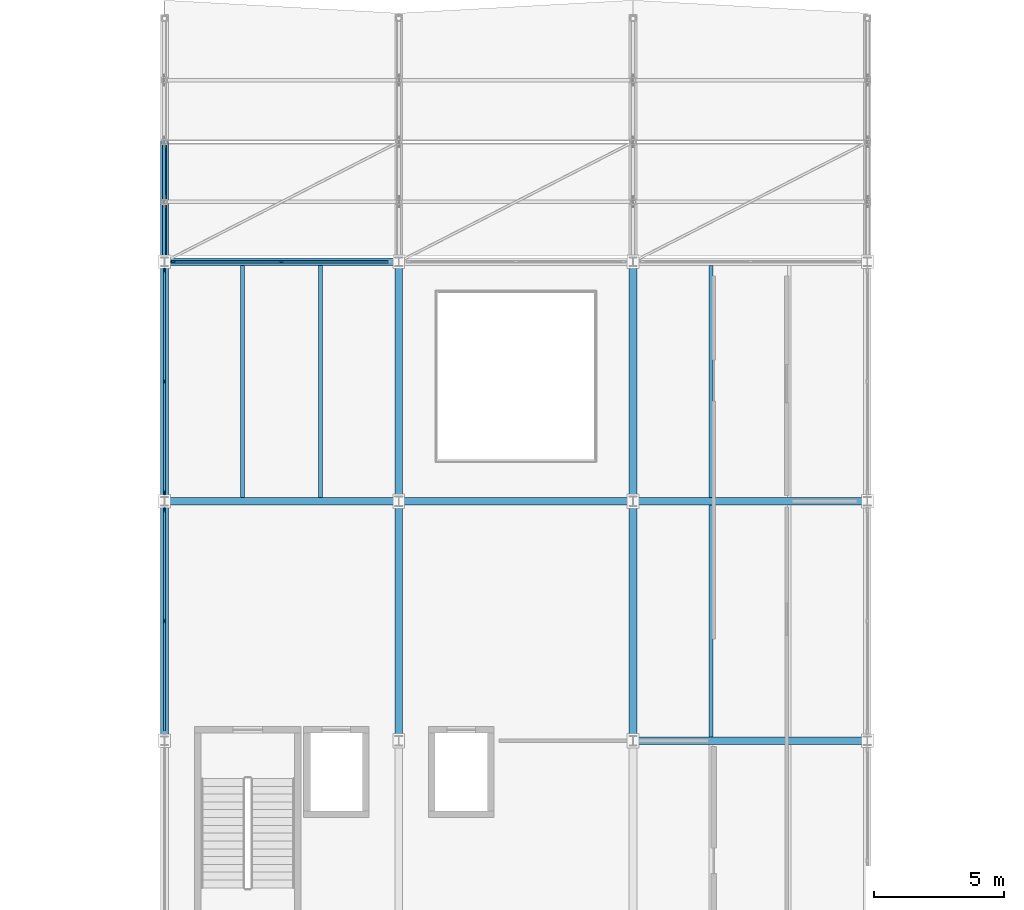
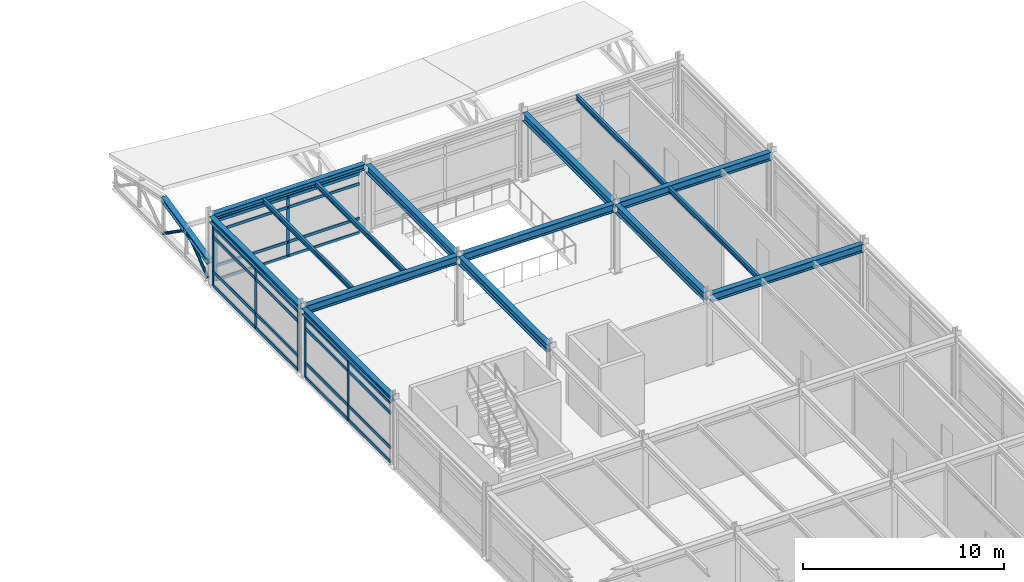
# One storey, part 19 of 55: 34 members, 15 beams, 3 elements without a shape of their own.
"""IFC4 building model written with IfcOpenShell, lengths in metres."""

from ifc_helpers import new_model, si_unit, direction, frame, origin, origin_2d, place, context, subcontext, project, spatial, rectangle, hollow_circle, i_section, extrude, material, material_profile, profile_set, type_object, element, aggregate, save


model = new_model("IFC4")

# Units and contexts
model_context = context("Model", 3, precision=1e-05, world=origin(), true_north=direction((0.0, 1.0)))
body_context = subcontext(model_context, "Body", "Model", "MODEL_VIEW")
ifc_project = project(units=[si_unit("LENGTHUNIT", "METRE"), si_unit("AREAUNIT", "SQUARE_METRE"), si_unit("VOLUMEUNIT", "CUBIC_METRE"), si_unit("PLANEANGLEUNIT", "RADIAN"), si_unit("MASSUNIT", "GRAM", prefix="KILO")], contexts=[model_context])

# Site, building, storey
site_placement = place(None, origin())
site = spatial("IfcSite", under=ifc_project, at=site_placement, CompositionType="ELEMENT")
building_placement = place(site_placement, origin())
building = spatial("IfcBuilding", under=site, at=building_placement, Name="Bozkorgan Art Gallery", CompositionType="ELEMENT")
storey_placement = place(building_placement, frame((0.0, 0.0, 15.0)))
storey = spatial("IfcBuildingStorey", under=building, at=storey_placement, Name="L03", CompositionType="ELEMENT", Elevation=15.0)

# Beams
ifc_material_1 = material(Name="Steel S355J2", Category="steel")
ifc_material_profile_1 = material_profile(ifc_material_1, i_section(OverallWidth=0.300048828125, OverallDepth=0.489990234375, WebThickness=0.011962890625, FlangeThickness=0.02294921875, FilletRadius=0.027099609375, at=origin_2d()), Name="HEA 500")
ifc_profile_set_1 = profile_set([ifc_material_profile_1], Name="Steel S355J2")
beam_type_1 = type_object("IfcBeamType", Name="BEAM-BM-42", PredefinedType="BEAM", material=ifc_profile_set_1)
for number, where, z_axis, x_axis, name in (
    (1, (92.14990234375, 66.0, 3.93505859375), (1.0, 0.0, 0.0), (0.0, 1.0, 0.0), "V4 L03 beam X (92-101, 66.0)"),
    (2, (74.14990234375, 75.199951171875, 3.93505859375), (1.0, 0.0, 0.0), (0.0, 1.0, 0.0), "V4 L03 beam X (74-83, 75.2)"),
    (3, (83.14990234375, 75.199951171875, 3.93505859375), (1.0, 0.0, 0.0), (0.0, 1.0, 0.0), "V4 L03 beam X (83-92, 75.2)"),
    (4, (92.14990234375, 75.199951171875, 3.93505859375), (1.0, 0.0, 0.0), (0.0, 1.0, 0.0), "V4 L03 beam X (92-101, 75.2)"),
):
    element("IfcBeam", number, at=place(storey_placement, frame(where, z_axis=z_axis, x_axis=x_axis)), inside=storey, type_object=beam_type_1, Name=name, PredefinedType="BEAM", context=body_context, shape_type="SweptSolid", body=[
        extrude(i_section(OverallWidth=0.300048828125, OverallDepth=0.489990234375, WebThickness=0.011962890625, FlangeThickness=0.02294921875, FilletRadius=0.027099609375, at=origin_2d()), origin(), (0.0, 0.0, 1.0), 8.7001953125),
    ])
beam_1_placement = place(storey_placement, frame((83.0, 66.195068359375, 3.93505859375), z_axis=(0.0, 1.0, 0.0), x_axis=(-1.0, 0.0, 0.0)))
element("IfcBeam", 5, at=beam_1_placement, inside=storey, type_object=beam_type_1, Name="V4 L03 beam Y (83, 66.0-75.2)", PredefinedType="BEAM", context=body_context, shape_type="SweptSolid", body=[
    extrude(i_section(OverallWidth=0.300048828125, OverallDepth=0.489990234375, WebThickness=0.011962890625, FlangeThickness=0.02294921875, FilletRadius=0.027099609375, at=origin_2d()), origin(), (0.0, 0.0, 1.0), 8.809814453125),
])
beam_2_placement = place(storey_placement, frame((83.0, 75.39501953125, 3.93505859375), z_axis=(0.0, 1.0, 0.0), x_axis=(-1.0, 0.0, 0.0)))
element("IfcBeam", 6, at=beam_2_placement, inside=storey, type_object=beam_type_1, Name="V4 L03 beam Y (83, 75.2-84.4)", PredefinedType="BEAM", context=body_context, shape_type="SweptSolid", body=[
    extrude(i_section(OverallWidth=0.300048828125, OverallDepth=0.489990234375, WebThickness=0.011962890625, FlangeThickness=0.02294921875, FilletRadius=0.027099609375, at=origin_2d()), origin(), (0.0, 0.0, 1.0), 8.824951171875),
])
beam_3_placement = place(storey_placement, frame((92.0, 66.195068359375, 3.93505859375), z_axis=(0.0, 1.0, 0.0), x_axis=(-1.0, 0.0, 0.0)))
element("IfcBeam", 7, at=beam_3_placement, inside=storey, type_object=beam_type_1, Name="V4 L03 beam Y (92, 66.0-75.2)", PredefinedType="BEAM", context=body_context, shape_type="SweptSolid", body=[
    extrude(i_section(OverallWidth=0.300048828125, OverallDepth=0.489990234375, WebThickness=0.011962890625, FlangeThickness=0.02294921875, FilletRadius=0.027099609375, at=origin_2d()), origin(), (0.0, 0.0, 1.0), 8.809814453125),
])
beam_4_placement = place(storey_placement, frame((92.0, 75.39501953125, 3.93505859375), z_axis=(0.0, 1.0, 0.0), x_axis=(-1.0, 0.0, 0.0)))
element("IfcBeam", 8, at=beam_4_placement, inside=storey, type_object=beam_type_1, Name="V4 L03 beam Y (92, 75.2-84.4)", PredefinedType="BEAM", context=body_context, shape_type="SweptSolid", body=[
    extrude(i_section(OverallWidth=0.300048828125, OverallDepth=0.489990234375, WebThickness=0.011962890625, FlangeThickness=0.02294921875, FilletRadius=0.027099609375, at=origin_2d()), origin(), (0.0, 0.0, 1.0), 8.824951171875),
])
ifc_material_profile_2 = material_profile(ifc_material_1, i_section(OverallWidth=0.14990234375, OverallDepth=0.300048828125, WebThickness=0.007080078125, FlangeThickness=0.0107421875, FilletRadius=0.014892578125, at=origin_2d()), Name="IPE 300")
ifc_profile_set_2 = profile_set([ifc_material_profile_2], Name="Steel S355J2")
beam_type_2 = type_object("IfcBeamType", Name="BEAM-JS-88", PredefinedType="JOIST", material=ifc_profile_set_2)
for number, where, z_axis, x_axis, name in (
    (9, (77.0, 75.35009765625, 4.030029296875), (0.0, 1.0, 0.0), (-1.0, 0.0, 0.0), "V4 L03 secondary joist (74-83, 75.2-84.4) #1"),
    (10, (80.0, 75.35009765625, 4.030029296875), (0.0, 1.0, 0.0), (-1.0, 0.0, 0.0), "V4 L03 secondary joist (74-83, 75.2-84.4) #2"),
):
    element("IfcBeam", number, at=place(storey_placement, frame(where, z_axis=z_axis, x_axis=x_axis)), inside=storey, type_object=beam_type_2, Name=name, PredefinedType="JOIST", context=body_context, shape_type="SweptSolid", body=[
        extrude(i_section(OverallWidth=0.14990234375, OverallDepth=0.300048828125, WebThickness=0.007080078125, FlangeThickness=0.0107421875, FilletRadius=0.014892578125, at=origin_2d()), origin(), (0.0, 0.0, 1.0), 8.89990234375),
    ])
beam_5_placement = place(storey_placement, frame((95.0, 66.14990234375, 4.030029296875), z_axis=(0.0, 1.0, 0.0), x_axis=(-1.0, 0.0, 0.0)))
element("IfcBeam", 11, at=beam_5_placement, inside=storey, type_object=beam_type_2, Name="V4 L03 secondary joist (92-101, 66.0-75.2) #1", PredefinedType="JOIST", context=body_context, shape_type="SweptSolid", body=[
    extrude(i_section(OverallWidth=0.14990234375, OverallDepth=0.300048828125, WebThickness=0.007080078125, FlangeThickness=0.0107421875, FilletRadius=0.014892578125, at=origin_2d()), origin(), (0.0, 0.0, 1.0), 8.900146484375),
])
beam_6_placement = place(storey_placement, frame((95.0, 75.35009765625, 4.030029296875), z_axis=(0.0, 1.0, 0.0), x_axis=(-1.0, 0.0, 0.0)))
element("IfcBeam", 12, at=beam_6_placement, inside=storey, type_object=beam_type_2, Name="V4 L03 secondary joist (92-101, 75.2-84.4) #1", PredefinedType="JOIST", context=body_context, shape_type="SweptSolid", body=[
    extrude(i_section(OverallWidth=0.14990234375, OverallDepth=0.300048828125, WebThickness=0.007080078125, FlangeThickness=0.0107421875, FilletRadius=0.014892578125, at=origin_2d()), origin(), (0.0, 0.0, 1.0), 8.89990234375),
])
ifc_material_profile_3 = material_profile(ifc_material_1, i_section(OverallWidth=0.300048828125, OverallDepth=0.35009765625, WebThickness=0.010009765625, FlangeThickness=0.017578125, FilletRadius=0.027099609375, at=origin_2d()), Name="HEA 360")
ifc_profile_set_3 = profile_set([ifc_material_profile_3], Name="Steel S355J2")
beam_type_3 = type_object("IfcBeamType", Name="BEAM-SP-97", PredefinedType="SPANDREL", material=ifc_profile_set_3)
beam_7_placement = place(storey_placement, frame((74.14990234375, 84.39990234375, 4.0048828125), z_axis=(1.0, 0.0, 0.0), x_axis=(0.0, 1.0, 0.0)))
element("IfcBeam", 13, at=beam_7_placement, inside=storey, type_object=beam_type_3, Name="V4 L03 spandrel X (74-83, 84.4)", PredefinedType="SPANDREL", context=body_context, shape_type="SweptSolid", body=[
    extrude(i_section(OverallWidth=0.300048828125, OverallDepth=0.35009765625, WebThickness=0.010009765625, FlangeThickness=0.017578125, FilletRadius=0.027099609375, at=origin_2d()), origin(), (0.0, 0.0, 1.0), 8.7001953125),
])
for number, where, z_axis, x_axis, name in (
    (14, (74.0, 66.179931640625, 4.0048828125), (0.0, 1.0, 0.0), (-1.0, 0.0, 0.0), "V4 L03 spandrel Y (74, 66.0-75.2)"),
    (15, (74.0, 75.3798828125, 4.0048828125), (0.0, 1.0, 0.0), (-1.0, 0.0, 0.0), "V4 L03 spandrel Y (74, 75.2-84.4)"),
):
    element("IfcBeam", number, at=place(storey_placement, frame(where, z_axis=z_axis, x_axis=x_axis)), inside=storey, type_object=beam_type_3, Name=name, PredefinedType="SPANDREL", context=body_context, shape_type="SweptSolid", body=[
        extrude(i_section(OverallWidth=0.300048828125, OverallDepth=0.35009765625, WebThickness=0.010009765625, FlangeThickness=0.017578125, FilletRadius=0.027099609375, at=origin_2d()), origin(), (0.0, 0.0, 1.0), 8.840087890625),
    ])

# Curtain wall, members
ifc_material_2 = material(Name="Anodised Bronze Aluminium", Category="aluminium")
curtain_wall_type_1 = type_object("IfcCurtainWallType", Name="CW-CW-85", PredefinedType="NOTDEFINED", material=ifc_material_2)
curtain_wall_1_placement = place(storey_placement, origin())
curtain_wall_1 = element("IfcCurtainWall", 16, at=curtain_wall_1_placement, inside=storey, type_object=curtain_wall_type_1, Name="L03 unitised curtain wall CW-V4-L03-1N-02", PredefinedType="NOTDEFINED")
ifc_material_profile_4 = material_profile(ifc_material_2, rectangle(XDim=0.06494140625, YDim=0.179931640625, at=origin_2d()), Name="ALU MULLION 65x180")
ifc_profile_set_4 = profile_set([ifc_material_profile_4], Name="Anodised Bronze Aluminium")
member_type_1 = type_object("IfcMemberType", Name="CWM-01", PredefinedType="MULLION", material=ifc_profile_set_4)
member_1_placement = place(storey_placement, frame((74.347412109375, 84.39990234375, 0.02001953125), z_axis=(0.0, 0.0, 1.0), x_axis=(0.0, 1.0, 0.0)))
member_1 = element("IfcMember", 17, at=member_1_placement, type_object=member_type_1, Name="CW-85 mullion 1", PredefinedType="MULLION", context=body_context, shape_type="SweptSolid", body=[
    extrude(rectangle(XDim=0.06494140625, YDim=0.179931640625, at=origin_2d()), origin(), (0.0, 0.0, 1.0), 3.655029296875),
])
member_2_placement = place(storey_placement, frame((78.487548828125, 84.39990234375, 0.02001953125), z_axis=(0.0, 0.0, 1.0), x_axis=(0.0, 1.0, 0.0)))
member_2 = element("IfcMember", 18, at=member_2_placement, type_object=member_type_1, Name="CW-85 mullion 2", PredefinedType="MULLION", context=body_context, shape_type="SweptSolid", body=[
    extrude(rectangle(XDim=0.06494140625, YDim=0.179931640625, at=origin_2d()), origin(), (0.0, 0.0, 1.0), 3.655029296875),
])

curtain_wall_type_2 = type_object("IfcCurtainWallType", Name="CW-CW-59", PredefinedType="NOTDEFINED", material=ifc_material_2)
curtain_wall_2_placement = place(storey_placement, origin())
curtain_wall_2 = element("IfcCurtainWall", 19, at=curtain_wall_2_placement, inside=storey, type_object=curtain_wall_type_2, Name="L03 unitised curtain wall CW-V4-L03-1W-13", PredefinedType="NOTDEFINED")
member_3_placement = place(storey_placement, frame((74.0, 70.60009765625, 0.02001953125), z_axis=(0.0, 0.0, 1.0), x_axis=(-1.0, 0.0, 0.0)))
member_3 = element("IfcMember", 20, at=member_3_placement, type_object=member_type_1, Name="CW-59 mullion 2", PredefinedType="MULLION", context=body_context, shape_type="SweptSolid", body=[
    extrude(rectangle(XDim=0.06494140625, YDim=0.179931640625, at=origin_2d()), origin(), (0.0, 0.0, 1.0), 3.655029296875),
])
member_4_placement = place(storey_placement, frame((74.0, 74.8525390625, 0.02001953125), z_axis=(0.0, 0.0, 1.0), x_axis=(-1.0, 0.0, 0.0)))
member_4 = element("IfcMember", 21, at=member_4_placement, type_object=member_type_1, Name="CW-59 mullion 3", PredefinedType="MULLION", context=body_context, shape_type="SweptSolid", body=[
    extrude(rectangle(XDim=0.06494140625, YDim=0.179931640625, at=origin_2d()), origin(), (0.0, 0.0, 1.0), 3.655029296875),
])

curtain_wall_3_placement = place(storey_placement, origin())
curtain_wall_3 = element("IfcCurtainWall", 22, at=curtain_wall_3_placement, inside=storey, type_object=curtain_wall_type_2, Name="L03 unitised curtain wall CW-V4-L03-1W-15", PredefinedType="NOTDEFINED")
member_5_placement = place(storey_placement, frame((74.0, 75.547607421875, 0.02001953125), z_axis=(0.0, 0.0, 1.0), x_axis=(-1.0, 0.0, 0.0)))
member_5 = element("IfcMember", 23, at=member_5_placement, type_object=member_type_1, Name="CW-59 mullion 1", PredefinedType="MULLION", context=body_context, shape_type="SweptSolid", body=[
    extrude(rectangle(XDim=0.06494140625, YDim=0.179931640625, at=origin_2d()), origin(), (0.0, 0.0, 1.0), 3.655029296875),
])
member_6_placement = place(storey_placement, frame((74.0, 79.800048828125, 0.02001953125), z_axis=(0.0, 0.0, 1.0), x_axis=(-1.0, 0.0, 0.0)))
member_6 = element("IfcMember", 24, at=member_6_placement, type_object=member_type_1, Name="CW-59 mullion 2", PredefinedType="MULLION", context=body_context, shape_type="SweptSolid", body=[
    extrude(rectangle(XDim=0.06494140625, YDim=0.179931640625, at=origin_2d()), origin(), (0.0, 0.0, 1.0), 3.655029296875),
])
member_7_placement = place(storey_placement, frame((74.0, 84.052490234375, 0.02001953125), z_axis=(0.0, 0.0, 1.0), x_axis=(-1.0, 0.0, 0.0)))
member_7 = element("IfcMember", 25, at=member_7_placement, type_object=member_type_1, Name="CW-59 mullion 3", PredefinedType="MULLION", context=body_context, shape_type="SweptSolid", body=[
    extrude(rectangle(XDim=0.06494140625, YDim=0.179931640625, at=origin_2d()), origin(), (0.0, 0.0, 1.0), 3.655029296875),
])

# Member
ifc_material_profile_5 = material_profile(ifc_material_2, rectangle(XDim=0.074951171875, YDim=0.169921875, at=origin_2d()), Name="ALU TRANSOM 75x170")
ifc_profile_set_5 = profile_set([ifc_material_profile_5], Name="Anodised Bronze Aluminium")
member_type_2 = type_object("IfcMemberType", Name="CWT-02", PredefinedType="USERDEFINED", material=ifc_profile_set_5)
member_8_placement = place(storey_placement, frame((74.3798828125, 84.39990234375, 0.0576171875), z_axis=(1.0, 0.0, 0.0), x_axis=(0.0, 1.0, 0.0)))
member_8 = element("IfcMember", 26, at=member_8_placement, type_object=member_type_2, Name="CW-85 transom 1.1", ObjectType="TRANSOM", PredefinedType="USERDEFINED", context=body_context, shape_type="SweptSolid", body=[
    extrude(rectangle(XDim=0.074951171875, YDim=0.169921875, at=origin_2d()), origin(), (0.0, 0.0, 1.0), 4.0751953125),
])

member_9_placement = place(storey_placement, frame((74.3798828125, 84.39990234375, 0.919921875), z_axis=(1.0, 0.0, 0.0), x_axis=(0.0, 1.0, 0.0)))
member_9 = element("IfcMember", 27, at=member_9_placement, type_object=member_type_2, Name="CW-85 transom 1.2", ObjectType="TRANSOM", PredefinedType="USERDEFINED", context=body_context, shape_type="SweptSolid", body=[
    extrude(rectangle(XDim=0.074951171875, YDim=0.169921875, at=origin_2d()), origin(), (0.0, 0.0, 1.0), 4.0751953125),
])

member_10_placement = place(storey_placement, frame((74.3798828125, 84.39990234375, 3.02490234375), z_axis=(1.0, 0.0, 0.0), x_axis=(0.0, 1.0, 0.0)))
member_10 = element("IfcMember", 28, at=member_10_placement, type_object=member_type_2, Name="CW-85 transom 1.3", ObjectType="TRANSOM", PredefinedType="USERDEFINED", context=body_context, shape_type="SweptSolid", body=[
    extrude(rectangle(XDim=0.074951171875, YDim=0.169921875, at=origin_2d()), origin(), (0.0, 0.0, 1.0), 4.0751953125),
])

member_11_placement = place(storey_placement, frame((74.3798828125, 84.39990234375, 3.637451171875), z_axis=(1.0, 0.0, 0.0), x_axis=(0.0, 1.0, 0.0)))
member_11 = element("IfcMember", 29, at=member_11_placement, type_object=member_type_2, Name="CW-85 transom 1.4", ObjectType="TRANSOM", PredefinedType="USERDEFINED", context=body_context, shape_type="SweptSolid", body=[
    extrude(rectangle(XDim=0.074951171875, YDim=0.169921875, at=origin_2d()), origin(), (0.0, 0.0, 1.0), 4.0751953125),
])

member_12_placement = place(storey_placement, frame((78.52001953125, 84.39990234375, 0.0576171875), z_axis=(1.0, 0.0, 0.0), x_axis=(0.0, 1.0, 0.0)))
member_12 = element("IfcMember", 30, at=member_12_placement, type_object=member_type_2, Name="CW-85 transom 2.1", ObjectType="TRANSOM", PredefinedType="USERDEFINED", context=body_context, shape_type="SweptSolid", body=[
    extrude(rectangle(XDim=0.074951171875, YDim=0.169921875, at=origin_2d()), origin(), (0.0, 0.0, 1.0), 4.074951171875),
])

member_13_placement = place(storey_placement, frame((78.52001953125, 84.39990234375, 0.919921875), z_axis=(1.0, 0.0, 0.0), x_axis=(0.0, 1.0, 0.0)))
member_13 = element("IfcMember", 31, at=member_13_placement, type_object=member_type_2, Name="CW-85 transom 2.2", ObjectType="TRANSOM", PredefinedType="USERDEFINED", context=body_context, shape_type="SweptSolid", body=[
    extrude(rectangle(XDim=0.074951171875, YDim=0.169921875, at=origin_2d()), origin(), (0.0, 0.0, 1.0), 4.074951171875),
])

member_14_placement = place(storey_placement, frame((78.52001953125, 84.39990234375, 3.02490234375), z_axis=(1.0, 0.0, 0.0), x_axis=(0.0, 1.0, 0.0)))
member_14 = element("IfcMember", 32, at=member_14_placement, type_object=member_type_2, Name="CW-85 transom 2.3", ObjectType="TRANSOM", PredefinedType="USERDEFINED", context=body_context, shape_type="SweptSolid", body=[
    extrude(rectangle(XDim=0.074951171875, YDim=0.169921875, at=origin_2d()), origin(), (0.0, 0.0, 1.0), 4.074951171875),
])

member_15_placement = place(storey_placement, frame((78.52001953125, 84.39990234375, 3.637451171875), z_axis=(1.0, 0.0, 0.0), x_axis=(0.0, 1.0, 0.0)))
member_15 = element("IfcMember", 33, at=member_15_placement, type_object=member_type_2, Name="CW-85 transom 2.4", ObjectType="TRANSOM", PredefinedType="USERDEFINED", context=body_context, shape_type="SweptSolid", body=[
    extrude(rectangle(XDim=0.074951171875, YDim=0.169921875, at=origin_2d()), origin(), (0.0, 0.0, 1.0), 4.074951171875),
])

aggregate(curtain_wall_1, [member_1, member_2, member_8, member_9, member_10, member_11, member_12, member_13, member_14, member_15])

ifc_material_profile_6 = material_profile(ifc_material_2, rectangle(XDim=0.080078125, YDim=0.199951171875, at=origin_2d()), Name="ALU TRANSOM 80x200")
ifc_profile_set_6 = profile_set([ifc_material_profile_6], Name="Anodised Bronze Aluminium")
member_type_3 = type_object("IfcMemberType", Name="CWT-03", PredefinedType="USERDEFINED", material=ifc_profile_set_6)
member_16_placement = place(storey_placement, frame((74.0, 66.3798828125, 0.06005859375), z_axis=(0.0, 1.0, 0.0), x_axis=(-1.0, 0.0, 0.0)))
member_16 = element("IfcMember", 34, at=member_16_placement, type_object=member_type_3, Name="CW-59 transom 1.1", ObjectType="TRANSOM", PredefinedType="USERDEFINED", context=body_context, shape_type="SweptSolid", body=[
    extrude(rectangle(XDim=0.080078125, YDim=0.199951171875, at=origin_2d()), origin(), (0.0, 0.0, 1.0), 4.1875),
])

member_17_placement = place(storey_placement, frame((74.0, 66.3798828125, 0.919921875), z_axis=(0.0, 1.0, 0.0), x_axis=(-1.0, 0.0, 0.0)))
member_17 = element("IfcMember", 35, at=member_17_placement, type_object=member_type_3, Name="CW-59 transom 1.2", ObjectType="TRANSOM", PredefinedType="USERDEFINED", context=body_context, shape_type="SweptSolid", body=[
    extrude(rectangle(XDim=0.080078125, YDim=0.199951171875, at=origin_2d()), origin(), (0.0, 0.0, 1.0), 4.1875),
])

member_18_placement = place(storey_placement, frame((74.0, 66.3798828125, 3.02490234375), z_axis=(0.0, 1.0, 0.0), x_axis=(-1.0, 0.0, 0.0)))
member_18 = element("IfcMember", 36, at=member_18_placement, type_object=member_type_3, Name="CW-59 transom 1.3", ObjectType="TRANSOM", PredefinedType="USERDEFINED", context=body_context, shape_type="SweptSolid", body=[
    extrude(rectangle(XDim=0.080078125, YDim=0.199951171875, at=origin_2d()), origin(), (0.0, 0.0, 1.0), 4.1875),
])

member_19_placement = place(storey_placement, frame((74.0, 66.3798828125, 3.635009765625), z_axis=(0.0, 1.0, 0.0), x_axis=(-1.0, 0.0, 0.0)))
member_19 = element("IfcMember", 37, at=member_19_placement, type_object=member_type_3, Name="CW-59 transom 1.4", ObjectType="TRANSOM", PredefinedType="USERDEFINED", context=body_context, shape_type="SweptSolid", body=[
    extrude(rectangle(XDim=0.080078125, YDim=0.199951171875, at=origin_2d()), origin(), (0.0, 0.0, 1.0), 4.1875),
])

member_20_placement = place(storey_placement, frame((74.0, 70.632568359375, 0.06005859375), z_axis=(0.0, 1.0, 0.0), x_axis=(-1.0, 0.0, 0.0)))
member_20 = element("IfcMember", 38, at=member_20_placement, type_object=member_type_3, Name="CW-59 transom 2.1", ObjectType="TRANSOM", PredefinedType="USERDEFINED", context=body_context, shape_type="SweptSolid", body=[
    extrude(rectangle(XDim=0.080078125, YDim=0.199951171875, at=origin_2d()), origin(), (0.0, 0.0, 1.0), 4.1875),
])

member_21_placement = place(storey_placement, frame((74.0, 70.632568359375, 0.919921875), z_axis=(0.0, 1.0, 0.0), x_axis=(-1.0, 0.0, 0.0)))
member_21 = element("IfcMember", 39, at=member_21_placement, type_object=member_type_3, Name="CW-59 transom 2.2", ObjectType="TRANSOM", PredefinedType="USERDEFINED", context=body_context, shape_type="SweptSolid", body=[
    extrude(rectangle(XDim=0.080078125, YDim=0.199951171875, at=origin_2d()), origin(), (0.0, 0.0, 1.0), 4.1875),
])

member_22_placement = place(storey_placement, frame((74.0, 70.632568359375, 3.02490234375), z_axis=(0.0, 1.0, 0.0), x_axis=(-1.0, 0.0, 0.0)))
member_22 = element("IfcMember", 40, at=member_22_placement, type_object=member_type_3, Name="CW-59 transom 2.3", ObjectType="TRANSOM", PredefinedType="USERDEFINED", context=body_context, shape_type="SweptSolid", body=[
    extrude(rectangle(XDim=0.080078125, YDim=0.199951171875, at=origin_2d()), origin(), (0.0, 0.0, 1.0), 4.1875),
])

member_23_placement = place(storey_placement, frame((74.0, 70.632568359375, 3.635009765625), z_axis=(0.0, 1.0, 0.0), x_axis=(-1.0, 0.0, 0.0)))
member_23 = element("IfcMember", 41, at=member_23_placement, type_object=member_type_3, Name="CW-59 transom 2.4", ObjectType="TRANSOM", PredefinedType="USERDEFINED", context=body_context, shape_type="SweptSolid", body=[
    extrude(rectangle(XDim=0.080078125, YDim=0.199951171875, at=origin_2d()), origin(), (0.0, 0.0, 1.0), 4.1875),
])

aggregate(curtain_wall_2, [member_3, member_4, member_16, member_17, member_18, member_19, member_20, member_21, member_22, member_23])

member_24_placement = place(storey_placement, frame((74.0, 75.580078125, 0.06005859375), z_axis=(0.0, 1.0, 0.0), x_axis=(-1.0, 0.0, 0.0)))
member_24 = element("IfcMember", 42, at=member_24_placement, type_object=member_type_3, Name="CW-59 transom 1.1", ObjectType="TRANSOM", PredefinedType="USERDEFINED", context=body_context, shape_type="SweptSolid", body=[
    extrude(rectangle(XDim=0.080078125, YDim=0.199951171875, at=origin_2d()), origin(), (0.0, 0.0, 1.0), 4.1875),
])

member_25_placement = place(storey_placement, frame((74.0, 75.580078125, 0.919921875), z_axis=(0.0, 1.0, 0.0), x_axis=(-1.0, 0.0, 0.0)))
member_25 = element("IfcMember", 43, at=member_25_placement, type_object=member_type_3, Name="CW-59 transom 1.2", ObjectType="TRANSOM", PredefinedType="USERDEFINED", context=body_context, shape_type="SweptSolid", body=[
    extrude(rectangle(XDim=0.080078125, YDim=0.199951171875, at=origin_2d()), origin(), (0.0, 0.0, 1.0), 4.1875),
])

member_26_placement = place(storey_placement, frame((74.0, 75.580078125, 3.02490234375), z_axis=(0.0, 1.0, 0.0), x_axis=(-1.0, 0.0, 0.0)))
member_26 = element("IfcMember", 44, at=member_26_placement, type_object=member_type_3, Name="CW-59 transom 1.3", ObjectType="TRANSOM", PredefinedType="USERDEFINED", context=body_context, shape_type="SweptSolid", body=[
    extrude(rectangle(XDim=0.080078125, YDim=0.199951171875, at=origin_2d()), origin(), (0.0, 0.0, 1.0), 4.1875),
])

member_27_placement = place(storey_placement, frame((74.0, 75.580078125, 3.635009765625), z_axis=(0.0, 1.0, 0.0), x_axis=(-1.0, 0.0, 0.0)))
member_27 = element("IfcMember", 45, at=member_27_placement, type_object=member_type_3, Name="CW-59 transom 1.4", ObjectType="TRANSOM", PredefinedType="USERDEFINED", context=body_context, shape_type="SweptSolid", body=[
    extrude(rectangle(XDim=0.080078125, YDim=0.199951171875, at=origin_2d()), origin(), (0.0, 0.0, 1.0), 4.1875),
])

member_28_placement = place(storey_placement, frame((74.0, 79.83251953125, 0.06005859375), z_axis=(0.0, 1.0, 0.0), x_axis=(-1.0, 0.0, 0.0)))
member_28 = element("IfcMember", 46, at=member_28_placement, type_object=member_type_3, Name="CW-59 transom 2.1", ObjectType="TRANSOM", PredefinedType="USERDEFINED", context=body_context, shape_type="SweptSolid", body=[
    extrude(rectangle(XDim=0.080078125, YDim=0.199951171875, at=origin_2d()), origin(), (0.0, 0.0, 1.0), 4.1875),
])

member_29_placement = place(storey_placement, frame((74.0, 79.83251953125, 0.919921875), z_axis=(0.0, 1.0, 0.0), x_axis=(-1.0, 0.0, 0.0)))
member_29 = element("IfcMember", 47, at=member_29_placement, type_object=member_type_3, Name="CW-59 transom 2.2", ObjectType="TRANSOM", PredefinedType="USERDEFINED", context=body_context, shape_type="SweptSolid", body=[
    extrude(rectangle(XDim=0.080078125, YDim=0.199951171875, at=origin_2d()), origin(), (0.0, 0.0, 1.0), 4.1875),
])

member_30_placement = place(storey_placement, frame((74.0, 79.83251953125, 3.02490234375), z_axis=(0.0, 1.0, 0.0), x_axis=(-1.0, 0.0, 0.0)))
member_30 = element("IfcMember", 48, at=member_30_placement, type_object=member_type_3, Name="CW-59 transom 2.3", ObjectType="TRANSOM", PredefinedType="USERDEFINED", context=body_context, shape_type="SweptSolid", body=[
    extrude(rectangle(XDim=0.080078125, YDim=0.199951171875, at=origin_2d()), origin(), (0.0, 0.0, 1.0), 4.1875),
])

member_31_placement = place(storey_placement, frame((74.0, 79.83251953125, 3.635009765625), z_axis=(0.0, 1.0, 0.0), x_axis=(-1.0, 0.0, 0.0)))
member_31 = element("IfcMember", 49, at=member_31_placement, type_object=member_type_3, Name="CW-59 transom 2.4", ObjectType="TRANSOM", PredefinedType="USERDEFINED", context=body_context, shape_type="SweptSolid", body=[
    extrude(rectangle(XDim=0.080078125, YDim=0.199951171875, at=origin_2d()), origin(), (0.0, 0.0, 1.0), 4.1875),
])

aggregate(curtain_wall_3, [member_5, member_6, member_7, member_24, member_25, member_26, member_27, member_28, member_29, member_30, member_31])

# Members
ifc_material_profile_7 = material_profile(ifc_material_1, i_section(OverallWidth=0.300048828125, OverallDepth=0.31005859375, WebThickness=0.009033203125, FlangeThickness=0.015380859375, FilletRadius=0.027099609375, at=origin_2d()), Name="HEA 320")
ifc_profile_set_7 = profile_set([ifc_material_profile_7], Name="Steel S355J2")
member_type_4 = type_object("IfcMemberType", Name="MEMBER-TC-13", PredefinedType="CHORD", material=ifc_profile_set_7)
member_32_placement = place(storey_placement, frame((74.0, 84.39990234375, 1.275390625), z_axis=(0.0, 0.974370273991, 0.224950148172), x_axis=(-1.0, 0.0, 0.0)))
element("IfcMember", 50, at=member_32_placement, inside=storey, type_object=member_type_4, Name="ROOF-V4-STEP3 roof truss 1 south top chord", PredefinedType="CHORD", context=body_context, shape_type="SweptSolid", body=[
    extrude(i_section(OverallWidth=0.300048828125, OverallDepth=0.31005859375, WebThickness=0.009033203125, FlangeThickness=0.015380859375, FilletRadius=0.027099609375, at=origin_2d()), origin(), (0.0, 0.0, 1.0), 4.72119140625),
])
ifc_material_profile_8 = material_profile(ifc_material_1, hollow_circle(Radius=0.084228515625, WallThickness=0.008056640625, at=origin_2d()), Name="CHS 168.3x8")
ifc_profile_set_8 = profile_set([ifc_material_profile_8], Name="Steel S355J2")
member_type_5 = type_object("IfcMemberType", Name="MEMBER-TW-40", PredefinedType="BRACE", material=ifc_profile_set_8)
member_33_placement = place(storey_placement, frame((74.0, 84.550048828125, 0.199951171875), z_axis=(0.0, 0.801068517824, 0.598572660377), x_axis=(-1.0, 0.0, 0.0)))
element("IfcMember", 51, at=member_33_placement, inside=storey, type_object=member_type_5, Name="ROOF-V4-STEP3 roof truss 1 diagonal 1", PredefinedType="BRACE", context=body_context, shape_type="SweptSolid", body=[
    extrude(hollow_circle(Radius=0.084228515625, WallThickness=0.008056640625, at=origin_2d()), origin(), (0.0, 0.0, 1.0), 2.683837890625),
])
member_34_placement = place(storey_placement, frame((74.0, 86.699951171875, 1.806396484375), z_axis=(0.0, 0.81983244676, -0.572603492165), x_axis=(-1.0, 0.0, 0.0)))
element("IfcMember", 52, at=member_34_placement, inside=storey, type_object=member_type_5, Name="ROOF-V4-STEP3 roof truss 1 diagonal 2", PredefinedType="BRACE", context=body_context, shape_type="SweptSolid", body=[
    extrude(hollow_circle(Radius=0.084228515625, WallThickness=0.008056640625, at=origin_2d()), origin(), (0.0, 0.0, 1.0), 2.805419921875),
])

save(model, "model.ifc")
